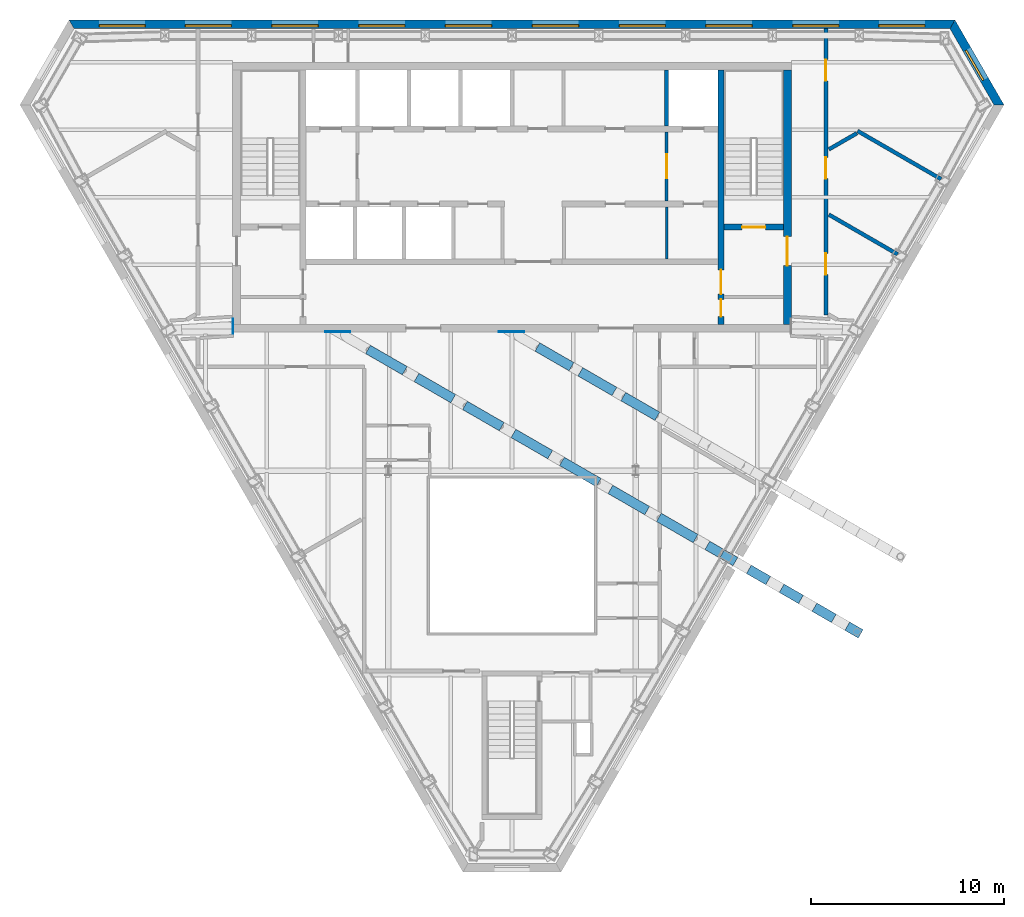
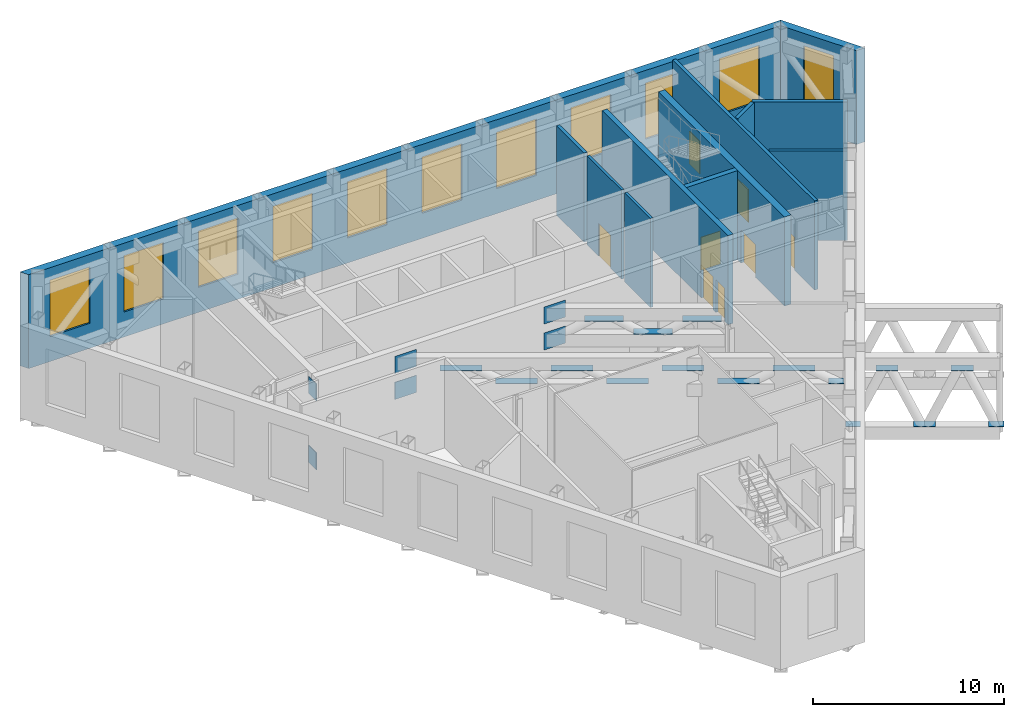
# One storey, part 10 of 14: 22 discrete accessories, 12 walls, 11 shading devices, 8 doors, 19 openings.
"""IFC4 building model written with IfcOpenShell, lengths in metres."""

import ifcopenshell
import ifcopenshell.guid

model = None  # the IFC model being written
_history = None  # IfcOwnerHistory: only IFC2X3 demands one
_inside = {}  # id of a spatial element -> (the spatial element, [elements in it])
_under = {}  # id of a project, library or spatial element -> (it, [spatial elements below it])
_declared = {}  # id of a project -> (the project, [libraries it declares])
_typed = {}  # id of a type object -> (the type object, [elements of that type])
_made_of = {}  # id of a material, layer set ... -> (it, [elements and type objects made of it])


def new_model(schema):
    """Start an empty IFC model of exactly this schema.

    Asked for "IFC4X3", IfcOpenShell would pick the latest addendum, in which some entities
    have other attributes; the version numbers below select the first issue.
    IFC2X3 requires an IfcOwnerHistory on every rooted entity: one is made here for all.
    """
    global model, _history
    if schema == "IFC4X3":
        model = ifcopenshell.file(schema_version=(4, 3, 0, 0))
    else:
        model = ifcopenshell.file(schema=schema)
    _inside.clear()
    _under.clear()
    _declared.clear()
    _typed.clear()
    _made_of.clear()
    _history = None
    if model.schema == "IFC2X3":
        org = make("IfcOrganization", Name="unknown")
        user = make(
            "IfcPersonAndOrganization",
            ThePerson=make("IfcPerson", FamilyName="unknown"),
            TheOrganization=org,
        )
        app = make(
            "IfcApplication",
            ApplicationDeveloper=org,
            Version="unknown",
            ApplicationFullName="unknown",
            ApplicationIdentifier="unknown",
        )
        _history = make(
            "IfcOwnerHistory",
            OwningUser=user,
            OwningApplication=app,
            ChangeAction="ADDED",
            CreationDate=0,
        )
    return model


def make(cls, **values):
    """One entity of the class cls with the attributes given. An attribute that is None is left unset."""
    return model.create_entity(
        cls, **{name: value for name, value in values.items() if value is not None}
    )


def rooted(cls, **values):
    """An entity with a GlobalId (a new one), such as an element, a storey or a relation."""
    return make(cls, GlobalId=ifcopenshell.guid.new(), OwnerHistory=_history, **values)


def si_unit(unit_type, name, prefix=None):
    """IfcSIUnit, for example si_unit("LENGTHUNIT", "METRE", prefix="MILLI")."""
    return make("IfcSIUnit", UnitType=unit_type, Prefix=prefix, Name=name)


def assignment(units):
    """IfcUnitAssignment: the units of a project."""
    return None if units is None else make("IfcUnitAssignment", Units=units)


def point(xyz):
    """IfcCartesianPoint."""
    return None if xyz is None else make("IfcCartesianPoint", Coordinates=xyz)


def direction(xyz):
    """IfcDirection."""
    return None if xyz is None else make("IfcDirection", DirectionRatios=xyz)


def frame(location, z_axis=None, x_axis=None):
    """IfcAxis2Placement3D, a coordinate frame: its origin and axes. An axis left out is left unset."""
    return make(
        "IfcAxis2Placement3D",
        Location=point(location),
        Axis=direction(z_axis),
        RefDirection=direction(x_axis),
    )


def frame_2d(location, x_axis=None):
    """IfcAxis2Placement2D, a coordinate frame in the plane: its origin and x axis."""
    return make(
        "IfcAxis2Placement2D", Location=point(location), RefDirection=direction(x_axis)
    )


def origin():
    """The frame at (0, 0, 0) with its axes left unset."""
    return frame((0.0, 0.0, 0.0))


def place(relative_to, where):
    """IfcLocalPlacement: puts the frame where relative to a parent placement (None: the world)."""
    return make(
        "IfcLocalPlacement", PlacementRelTo=relative_to, RelativePlacement=where
    )


def context(
    kind, dimensions, precision=None, world=None, true_north=None, identifier=None
):
    """IfcGeometricRepresentationContext, for example the 3D "Model" context."""
    return make(
        "IfcGeometricRepresentationContext",
        ContextIdentifier=identifier,
        ContextType=kind,
        CoordinateSpaceDimension=dimensions,
        Precision=precision,
        WorldCoordinateSystem=world,
        TrueNorth=true_north,
    )


def subcontext(parent, identifier, kind, view, scale=None):
    """IfcGeometricRepresentationSubContext, for example "Body" below "Model"."""
    return make(
        "IfcGeometricRepresentationSubContext",
        ContextIdentifier=identifier,
        ContextType=kind,
        ParentContext=parent,
        TargetScale=scale,
        TargetView=view,
    )


def project(units=None, contexts=None):
    """IfcProject with its units and contexts."""
    return rooted(
        "IfcProject",
        Name="project",
        RepresentationContexts=contexts,
        UnitsInContext=assignment(units),
    )


def spatial(cls, under=None, at=None, **own):
    """A site, building, storey or space (cls), placed at a placement, below another one or the project."""
    s = rooted(cls, ObjectPlacement=at, **own)
    if under is not None:
        _under.setdefault(under.id(), (under, []))[1].append(s)
    return s


def polyline(points):
    """IfcPolyline through the points."""
    return make("IfcPolyline", Points=[point(p) for p in points])


def profile(cls, at=None, kind="AREA", **sizes):
    """A parametric profile (cls). Its sizes go by their IFC names, for example OverallWidth=200.0."""
    return make(cls, ProfileType=kind, Position=at, **sizes)


def rectangle(**sizes):
    """IfcRectangleProfileDef."""
    return profile("IfcRectangleProfileDef", **sizes)


def outline(outer, holes=None, kind="AREA"):
    """IfcArbitraryClosedProfileDef: a profile drawn as a closed curve; with holes, ...WithVoids."""
    if holes is None:
        return make("IfcArbitraryClosedProfileDef", ProfileType=kind, OuterCurve=outer)
    return make(
        "IfcArbitraryProfileDefWithVoids",
        ProfileType=kind,
        OuterCurve=outer,
        InnerCurves=holes,
    )


def extrude(swept, where, along, depth):
    """IfcExtrudedAreaSolid: the profile swept, set in the frame where, extruded along a direction by depth."""
    return make(
        "IfcExtrudedAreaSolid",
        SweptArea=swept,
        Position=where,
        ExtrudedDirection=direction(along),
        Depth=depth,
    )


def shape(context_of_items, identifier, shape_type, items):
    """IfcShapeRepresentation: the items that make up one representation, for example the "Body"."""
    return make(
        "IfcShapeRepresentation",
        ContextOfItems=context_of_items,
        RepresentationIdentifier=identifier,
        RepresentationType=shape_type,
        Items=items,
    )


def material(Name=None, Category=None):
    """IfcMaterial."""
    return make("IfcMaterial", Name=Name, Category=Category)


def layer(
    of_material, thickness, ventilated=None, Name=None, Category=None, Priority=None
):
    """IfcMaterialLayer: one layer of a wall or slab, of a material (None: an air gap)."""
    return make(
        "IfcMaterialLayer",
        Material=of_material,
        LayerThickness=thickness,
        IsVentilated=ventilated,
        Name=Name,
        Category=Category,
        Priority=Priority,
    )


def layer_set(layers, Name=None):
    """IfcMaterialLayerSet."""
    return make("IfcMaterialLayerSet", MaterialLayers=layers, LayerSetName=Name)


def made_of(thing, what):
    """Note that an element or type object is made of a material, layer set ...; save() writes the relation."""
    if what is not None:
        _made_of.setdefault(what.id(), (what, []))[1].append(thing)
    return thing


def type_object(cls, material=None, **own):
    """A type object (cls), such as IfcWallType, which elements share."""
    return made_of(rooted(cls, **own), material)


def element(
    cls,
    number,
    at=None,
    inside=None,
    cuts=None,
    type_object=None,
    material=None,
    context=None,
    identifier="Body",
    shape_type=None,
    held_by="IfcProductDefinitionShape",
    body=None,
    shapes=None,
    **own,
):
    """One element of the class cls, such as IfcWall. Its Tag is "e" and its number.

    at: its placement. inside: the storey or other place that contains it. cuts: it is an
    opening in that element (IfcRelVoidsElement). A single representation is given by context,
    identifier, shape_type and body (its items); several are given by shapes. held_by: the class
    of the entity that holds the representations. save() writes the other relations.
    """
    e = rooted(cls, Tag="e%d" % number, ObjectPlacement=at, **own)
    if body is not None:
        shapes = [shape(context, identifier, shape_type, body)]
    if shapes is not None:
        e.Representation = make(held_by, Representations=shapes)
    if inside is not None:
        _inside.setdefault(inside.id(), (inside, []))[1].append(e)
    if cuts is not None:
        rooted(
            "IfcRelVoidsElement", RelatingBuildingElement=cuts, RelatedOpeningElement=e
        )
    if type_object is not None:
        _typed.setdefault(type_object.id(), (type_object, []))[1].append(e)
    return made_of(e, material)


def fill(opening, filler):
    """IfcRelFillsElement: the door or window that sits in an opening."""
    return rooted(
        "IfcRelFillsElement",
        RelatingOpeningElement=opening,
        RelatedBuildingElement=filler,
    )


def aggregate(whole, parts):
    """IfcRelAggregates: a whole, such as a stair, and the parts it consists of."""
    return rooted("IfcRelAggregates", RelatingObject=whole, RelatedObjects=parts)


def save(model, path):
    """Write the relations noted so far, then the file.

    IfcRelAggregates (storeys below a building ...), IfcRelContainedInSpatialStructure (elements
    in a storey), IfcRelDefinesByType, IfcRelAssociatesMaterial and IfcRelDeclares: one each for
    every whole, place, type object, material and project.
    """
    for whole, parts in _under.values():
        aggregate(whole, parts)
    for where, things in _inside.values():
        rooted(
            "IfcRelContainedInSpatialStructure",
            RelatedElements=things,
            RelatingStructure=where,
        )
    for kind, things in _typed.values():
        rooted("IfcRelDefinesByType", RelatedObjects=things, RelatingType=kind)
    for what, things in _made_of.values():
        rooted("IfcRelAssociatesMaterial", RelatedObjects=things, RelatingMaterial=what)
    for by, libraries in _declared.values():
        rooted("IfcRelDeclares", RelatingContext=by, RelatedDefinitions=libraries)
    model.write(path)


model = new_model("IFC4")

# Units and contexts
model_context = context("Model", 3, precision=1e-05, world=origin(), true_north=direction((0.0, 1.0)))
body_context = subcontext(model_context, "Body", "Model", "MODEL_VIEW")
ifc_project = project(units=[si_unit("LENGTHUNIT", "METRE"), si_unit("AREAUNIT", "SQUARE_METRE"), si_unit("VOLUMEUNIT", "CUBIC_METRE"), si_unit("PLANEANGLEUNIT", "RADIAN"), si_unit("MASSUNIT", "GRAM", prefix="KILO")], contexts=[model_context])

# Site, building, storey
site_placement = place(None, origin())
site = spatial("IfcSite", under=ifc_project, at=site_placement, CompositionType="ELEMENT")
building_placement = place(site_placement, origin())
building = spatial("IfcBuilding", under=site, at=building_placement, Name="Njiva Tower", CompositionType="ELEMENT")
storey_placement = place(building_placement, frame((0.0, 0.0, 292.2)))
storey = spatial("IfcBuildingStorey", under=building, at=storey_placement, Name="L67", CompositionType="ELEMENT", Elevation=292.2)

# Wall
ifc_material_1 = material(Name="Blockwork", Category="masonry")
ifc_layer_1 = layer(ifc_material_1, 0.15)
ifc_layer_set_1 = layer_set([ifc_layer_1], Name="Blockwork")
wall_type_1 = type_object("IfcWallType", Name="WT1 Compartment partition 150", PredefinedType="PARTITIONING", material=ifc_layer_set_1)
wall_1_placement = place(storey_placement, frame((8.0333, 7.8, 0.0), z_axis=(0.0, 0.0, 1.0), x_axis=(0.0, 1.0, 0.0)))
element("IfcWall", 1, at=wall_1_placement, inside=storey, type_object=wall_type_1, Name="Partition CS7", PredefinedType="PARTITIONING", context=body_context, shape_type="SweptSolid", body=[
    extrude(rectangle(XDim=2.7, YDim=0.15, at=frame_2d((1.35, 0.0))), origin(), (0.0, 0.0, 1.0), 5.7),
])

# Wall, openings, doors
ifc_material_2 = material(Name="Concrete C40/50", Category="concrete")
ifc_layer_2 = layer(ifc_material_2, 0.3)
ifc_layer_set_2 = layer_set([ifc_layer_2], Name="Concrete C40/50")
wall_type_2 = type_object("IfcWallType", Name="WT10 Stair enclosure wall 300", PredefinedType="SHEAR", material=ifc_layer_set_2)
wall_2_placement = place(storey_placement, frame((10.85, 4.4, 0.0), z_axis=(0.0, 0.0, 1.0), x_axis=(0.0, 1.0, 0.0)))
wall_2 = element("IfcWall", 2, at=wall_2_placement, inside=storey, type_object=wall_type_2, Name="Stair wall east inner", PredefinedType="SHEAR", context=body_context, shape_type="SweptSolid", body=[
    extrude(rectangle(XDim=13.2, YDim=0.3, at=frame_2d((6.6, 0.0))), origin(), (0.0, 0.0, 1.0), 5.7),
])
opening_1_placement = place(wall_2_placement, frame((1.575, 0.0, 0.0)))
opening_1 = element("IfcOpeningElement", 3, at=opening_1_placement, cuts=wall_2, Name="Opening T5-D921", PredefinedType="OPENING", context=body_context, shape_type="SweptSolid", body=[
    extrude(rectangle(XDim=1.25, YDim=2.1, at=frame_2d((0.625, 1.05))), frame((0.0, 0.16, 0.0), z_axis=(0.0, -1.0, 0.0), x_axis=(1.0, 0.0, 0.0)), (0.0, 0.0, 1.0), 0.32),
])
opening_2_placement = place(wall_2_placement, frame((0.4, 0.0, 0.0)))
opening_2 = element("IfcOpeningElement", 4, at=opening_2_placement, cuts=wall_2, Name="Opening T5-D923", PredefinedType="OPENING", context=body_context, shape_type="SweptSolid", body=[
    extrude(rectangle(XDim=0.9, YDim=2.1, at=frame_2d((0.45, 1.05))), frame((0.0, 0.16, 0.0), z_axis=(0.0, -1.0, 0.0), x_axis=(1.0, 0.0, 0.0)), (0.0, 0.0, 1.0), 0.32),
])
ifc_material_3 = material(Name="Steel door, painted", Category="steel")
door_type_1 = type_object("IfcDoorType", Name="D13 Steel door 900x2100", OperationType="SINGLE_SWING_LEFT", PredefinedType="DOOR", material=ifc_material_3)
door_1_placement = place(opening_2_placement, origin())
door_1 = element("IfcDoor", 5, at=door_1_placement, inside=storey, type_object=door_type_1, Name="Plant room door", OperationType="SINGLE_SWING_LEFT", OverallHeight=2.1, OverallWidth=0.9, PredefinedType="DOOR", context=body_context, shape_type="SweptSolid", body=[
    extrude(rectangle(XDim=0.9, YDim=2.1, at=frame_2d((0.45, 1.05))), frame((0.0, 0.025, 0.0), z_axis=(0.0, -1.0, 0.0), x_axis=(1.0, 0.0, 0.0)), (0.0, 0.0, 1.0), 0.05),
])
fill(opening_2, door_1)
ifc_material_4 = material(Name="Glazed steel fire door", Category="steel")
door_type_2 = type_object("IfcDoorType", Name="D8 Vestibule corridor door 1250x2100 glazed", OperationType="SINGLE_SWING_LEFT", PredefinedType="DOOR", material=ifc_material_4)
door_2_placement = place(opening_1_placement, origin())
door_2 = element("IfcDoor", 6, at=door_2_placement, inside=storey, type_object=door_type_2, Name="Stair vestibule corridor door", OperationType="SINGLE_SWING_RIGHT", OverallHeight=2.1, OverallWidth=1.25, PredefinedType="DOOR", context=body_context, shape_type="SweptSolid", body=[
    extrude(rectangle(XDim=1.25, YDim=2.1, at=frame_2d((0.625, 1.05))), frame((0.0, 0.025, 0.0), z_axis=(0.0, -1.0, 0.0), x_axis=(1.0, 0.0, 0.0)), (0.0, 0.0, 1.0), 0.05),
])
fill(opening_1, door_2)

# Wall, opening, door
wall_3_placement = place(storey_placement, frame((11.0, 9.45, 0.0), z_axis=(0.0, 0.0, 1.0), x_axis=(1.0, 0.0, 0.0)))
wall_3 = element("IfcWall", 7, at=wall_3_placement, inside=storey, type_object=wall_type_2, Name="Stair B south wall", PredefinedType="SHEAR", context=body_context, shape_type="SweptSolid", body=[
    extrude(rectangle(XDim=3.1, YDim=0.3, at=frame_2d((1.55, 0.0))), origin(), (0.0, 0.0, 1.0), 5.7),
])
opening_3_placement = place(wall_3_placement, frame((0.95, 0.0, 0.0)))
opening_3 = element("IfcOpeningElement", 8, at=opening_3_placement, cuts=wall_3, Name="Opening T5-D920", PredefinedType="OPENING", context=body_context, shape_type="SweptSolid", body=[
    extrude(rectangle(XDim=1.2, YDim=2.1, at=frame_2d((0.6, 1.05))), frame((0.0, 0.16, 0.0), z_axis=(0.0, -1.0, 0.0), x_axis=(1.0, 0.0, 0.0)), (0.0, 0.0, 1.0), 0.32),
])
door_type_3 = type_object("IfcDoorType", Name="D7 Stair vestibule door 1200x2100 glazed", OperationType="SINGLE_SWING_LEFT", PredefinedType="DOOR", material=ifc_material_4)
door_3_placement = place(opening_3_placement, origin())
door_3 = element("IfcDoor", 9, at=door_3_placement, inside=storey, type_object=door_type_3, Name="Stair B door", OperationType="SINGLE_SWING_LEFT", OverallHeight=2.1, OverallWidth=1.2, PredefinedType="DOOR", context=body_context, shape_type="SweptSolid", body=[
    extrude(rectangle(XDim=1.2, YDim=2.1, at=frame_2d((0.6, 1.05))), frame((0.0, 0.025, 0.0), z_axis=(0.0, -1.0, 0.0), x_axis=(1.0, 0.0, 0.0)), (0.0, 0.0, 1.0), 0.05),
])
fill(opening_3, door_3)

ifc_material_5 = material(Name="Concrete C60/75", Category="concrete")
ifc_layer_3 = layer(ifc_material_5, 0.4)
ifc_layer_set_3 = layer_set([ifc_layer_3], Name="Concrete C60/75")
wall_type_3 = type_object("IfcWallType", Name="WT11 Core wall 400", PredefinedType="SHEAR", material=ifc_layer_set_3)
wall_4_placement = place(storey_placement, frame((14.3, 4.4, 0.0), z_axis=(0.0, 0.0, 1.0), x_axis=(0.0, 1.0, 0.0)))
wall_4 = element("IfcWall", 10, at=wall_4_placement, inside=storey, type_object=wall_type_3, Name="Core wall east", PredefinedType="SHEAR", context=body_context, shape_type="SweptSolid", body=[
    extrude(rectangle(XDim=13.2, YDim=0.4, at=frame_2d((6.6, 0.0))), origin(), (0.0, 0.0, 1.0), 5.7),
])
opening_4_placement = place(wall_4_placement, frame((3.05, 0.0, 0.0)))
opening_4 = element("IfcOpeningElement", 11, at=opening_4_placement, cuts=wall_4, Name="Opening T5-D922", PredefinedType="OPENING", context=body_context, shape_type="SweptSolid", body=[
    extrude(rectangle(XDim=1.5, YDim=2.1, at=frame_2d((0.75, 1.05))), frame((0.0, 0.21, 0.0), z_axis=(0.0, -1.0, 0.0), x_axis=(1.0, 0.0, 0.0)), (0.0, 0.0, 1.0), 0.42),
])
door_type_4 = type_object("IfcDoorType", Name="D10 Exit door double 1500x2100 glazed", OperationType="DOUBLE_DOOR_SINGLE_SWING", PredefinedType="DOOR", material=ifc_material_4)
door_4_placement = place(opening_4_placement, origin())
door_4 = element("IfcDoor", 12, at=door_4_placement, inside=storey, type_object=door_type_4, Name="Stair B corridor door", OperationType="DOUBLE_DOOR_SINGLE_SWING", OverallHeight=2.1, OverallWidth=1.5, PredefinedType="DOOR", context=body_context, shape_type="SweptSolid", body=[
    extrude(rectangle(XDim=1.5, YDim=2.1, at=frame_2d((0.75, 1.05))), frame((0.0, 0.025, 0.0), z_axis=(0.0, -1.0, 0.0), x_axis=(1.0, 0.0, 0.0)), (0.0, 0.0, 1.0), 0.05),
])
fill(opening_4, door_4)

ifc_layer_4 = layer(ifc_material_1, 0.15)
ifc_layer_set_4 = layer_set([ifc_layer_4], Name="Blockwork")
wall_type_4 = type_object("IfcWallType", Name="WT2 Lobby partition 150", PredefinedType="PARTITIONING", material=ifc_layer_set_4)
wall_5_placement = place(storey_placement, frame((8.025, 10.8, 0.0), z_axis=(0.0, 0.0, 1.0), x_axis=(0.0, 1.0, 0.0)))
wall_5 = element("IfcWall", 13, at=wall_5_placement, inside=storey, type_object=wall_type_4, Name="Firefighting lobby wall B", PredefinedType="PARTITIONING", context=body_context, shape_type="SweptSolid", body=[
    extrude(rectangle(XDim=3.6, YDim=0.15, at=frame_2d((1.8, 0.0))), origin(), (0.0, 0.0, 1.0), 5.7),
])
opening_5_placement = place(wall_5_placement, frame((1.175, 0.0, 0.0)))
opening_5 = element("IfcOpeningElement", 14, at=opening_5_placement, cuts=wall_5, Name="Opening T5-D919", PredefinedType="OPENING", context=body_context, shape_type="SweptSolid", body=[
    extrude(rectangle(XDim=1.25, YDim=2.1, at=frame_2d((0.625, 1.05))), frame((0.0, 0.085, 0.0), z_axis=(0.0, -1.0, 0.0), x_axis=(1.0, 0.0, 0.0)), (0.0, 0.0, 1.0), 0.17),
])
door_5_placement = place(opening_5_placement, origin())
door_5 = element("IfcDoor", 15, at=door_5_placement, inside=storey, type_object=door_type_2, Name="Stair vestibule corridor door", OperationType="SINGLE_SWING_LEFT", OverallHeight=2.1, OverallWidth=1.25, PredefinedType="DOOR", context=body_context, shape_type="SweptSolid", body=[
    extrude(rectangle(XDim=1.25, YDim=2.1, at=frame_2d((0.625, 1.05))), frame((0.0, 0.025, 0.0), z_axis=(0.0, -1.0, 0.0), x_axis=(1.0, 0.0, 0.0)), (0.0, 0.0, 1.0), 0.05),
])
fill(opening_5, door_5)

# Wall, openings, doors
ifc_layer_5 = layer(ifc_material_1, 0.2)
ifc_layer_set_5 = layer_set([ifc_layer_5], Name="Blockwork")
wall_type_5 = type_object("IfcWallType", Name="WT22 Plant room wall 200", PredefinedType="PARTITIONING", material=ifc_layer_set_5)
wall_6_placement = place(storey_placement, frame((16.3, 4.882, 0.0), z_axis=(0.0, 0.0, 1.0), x_axis=(0.0, 1.0, 0.0)))
wall_6 = element("IfcWall", 16, at=wall_6_placement, inside=storey, type_object=wall_type_5, Name="Partition T5-P036", PredefinedType="PARTITIONING", context=body_context, shape_type="SweptSolid", body=[
    extrude(rectangle(XDim=14.868, YDim=0.2, at=frame_2d((7.434, 0.0))), origin(), (0.0, 0.0, 1.0), 5.7),
])
opening_6_placement = place(wall_6_placement, frame((2.102, 0.0, 0.0)))
opening_6 = element("IfcOpeningElement", 17, at=opening_6_placement, cuts=wall_6, Name="Opening T5-D017", PredefinedType="OPENING", context=body_context, shape_type="SweptSolid", body=[
    extrude(rectangle(XDim=1.1, YDim=2.1, at=frame_2d((0.55, 1.05))), frame((0.0, 0.11, 0.0), z_axis=(0.0, -1.0, 0.0), x_axis=(1.0, 0.0, 0.0)), (0.0, 0.0, 1.0), 0.22),
])
opening_7_placement = place(wall_6_placement, frame((7.089, 0.0, 0.0)))
opening_7 = element("IfcOpeningElement", 18, at=opening_7_placement, cuts=wall_6, Name="Opening T5-D018", PredefinedType="OPENING", context=body_context, shape_type="SweptSolid", body=[
    extrude(rectangle(XDim=1.1, YDim=2.1, at=frame_2d((0.55, 1.05))), frame((0.0, 0.11, 0.0), z_axis=(0.0, -1.0, 0.0), x_axis=(1.0, 0.0, 0.0)), (0.0, 0.0, 1.0), 0.22),
])
opening_8_placement = place(wall_6_placement, frame((12.161, 0.0, 0.0)))
opening_8 = element("IfcOpeningElement", 19, at=opening_8_placement, cuts=wall_6, Name="Opening T5-D019", PredefinedType="OPENING", context=body_context, shape_type="SweptSolid", body=[
    extrude(rectangle(XDim=1.1, YDim=2.1, at=frame_2d((0.55, 1.05))), frame((0.0, 0.11, 0.0), z_axis=(0.0, -1.0, 0.0), x_axis=(1.0, 0.0, 0.0)), (0.0, 0.0, 1.0), 0.22),
])
ifc_material_6 = material(Name="Steel door set", Category="steel")
door_type_5 = type_object("IfcDoorType", Name="D34 Plant door 1100x2100", OperationType="SINGLE_SWING_LEFT", PredefinedType="DOOR", material=ifc_material_6)
door_6_placement = place(opening_6_placement, origin())
door_6 = element("IfcDoor", 20, at=door_6_placement, inside=storey, type_object=door_type_5, Name="Door T5-D017", OperationType="SINGLE_SWING_LEFT", OverallHeight=2.1, OverallWidth=1.1, PredefinedType="DOOR", context=body_context, shape_type="SweptSolid", body=[
    extrude(rectangle(XDim=1.1, YDim=2.1, at=frame_2d((0.55, 1.05))), frame((0.0, 0.025, 0.0), z_axis=(0.0, -1.0, 0.0), x_axis=(1.0, 0.0, 0.0)), (0.0, 0.0, 1.0), 0.05),
])
fill(opening_6, door_6)
door_7_placement = place(opening_7_placement, origin())
door_7 = element("IfcDoor", 21, at=door_7_placement, inside=storey, type_object=door_type_5, Name="Door T5-D018", OperationType="SINGLE_SWING_RIGHT", OverallHeight=2.1, OverallWidth=1.1, PredefinedType="DOOR", context=body_context, shape_type="SweptSolid", body=[
    extrude(rectangle(XDim=1.1, YDim=2.1, at=frame_2d((0.55, 1.05))), frame((0.0, 0.025, 0.0), z_axis=(0.0, -1.0, 0.0), x_axis=(1.0, 0.0, 0.0)), (0.0, 0.0, 1.0), 0.05),
])
fill(opening_7, door_7)
door_8_placement = place(opening_8_placement, origin())
door_8 = element("IfcDoor", 22, at=door_8_placement, inside=storey, type_object=door_type_5, Name="Door T5-D019", OperationType="SINGLE_SWING_RIGHT", OverallHeight=2.1, OverallWidth=1.1, PredefinedType="DOOR", context=body_context, shape_type="SweptSolid", body=[
    extrude(rectangle(XDim=1.1, YDim=2.1, at=frame_2d((0.55, 1.05))), frame((0.0, 0.025, 0.0), z_axis=(0.0, -1.0, 0.0), x_axis=(1.0, 0.0, 0.0)), (0.0, 0.0, 1.0), 0.05),
])
fill(opening_8, door_8)

# Walls
wall_7_placement = place(storey_placement, frame((16.45, 13.484, 0.0), z_axis=(0.0, 0.0, 1.0), x_axis=(0.866225147291, 0.499653874398, 0.0)))
element("IfcWall", 23, at=wall_7_placement, inside=storey, type_object=wall_type_5, Name="Partition T5-P039", PredefinedType="PARTITIONING", context=body_context, shape_type="SweptSolid", body=[
    extrude(rectangle(XDim=1.6832, YDim=0.2, at=frame_2d((0.8416, 0.0))), origin(), (0.0, 0.0, 1.0), 5.7),
])
wall_8_placement = place(storey_placement, frame((16.45, 10.099, 0.0), z_axis=(0.0, 0.0, 1.0), x_axis=(0.866012023309, -0.500023174947, 0.0)))
element("IfcWall", 24, at=wall_8_placement, inside=storey, type_object=wall_type_5, Name="Partition T5-P040", PredefinedType="PARTITIONING", context=body_context, shape_type="SweptSolid", body=[
    extrude(rectangle(XDim=4.1258, YDim=0.2, at=frame_2d((2.0629, 0.0))), origin(), (0.0, 0.0, 1.0), 5.7),
])
wall_9_placement = place(storey_placement, frame((17.939, 14.443, 0.0), z_axis=(0.0, 0.0, 1.0), x_axis=(0.866158991994, -0.499768547017, 0.0)))
element("IfcWall", 25, at=wall_9_placement, inside=storey, type_object=wall_type_5, Name="Partition T5-P042", PredefinedType="PARTITIONING", context=body_context, shape_type="SweptSolid", body=[
    extrude(rectangle(XDim=5.0083, YDim=0.2, at=frame_2d((2.5042, 0.0))), origin(), (0.0, 0.0, 1.0), 5.7),
])
ifc_layer_6 = layer(ifc_material_2, 0.2)
ifc_layer_set_6 = layer_set([ifc_layer_6], Name="Concrete C40/50")
wall_type_6 = type_object("IfcWallType", Name="WT6 Lift shaft wall 200", PredefinedType="SHEAR", material=ifc_layer_set_6)
wall_10_placement = place(storey_placement, frame((8.025, 14.7, 0.0), z_axis=(0.0, 0.0, 1.0), x_axis=(0.0, 1.0, 0.0)))
element("IfcWall", 26, at=wall_10_placement, inside=storey, type_object=wall_type_6, Name="Shaft wall CN7", PredefinedType="SHEAR", context=body_context, shape_type="SweptSolid", body=[
    extrude(rectangle(XDim=2.9, YDim=0.2, at=frame_2d((1.45, 0.0))), origin(), (0.0, 0.0, 1.0), 5.7),
])

# Wall, openings, shading devices
ifc_material_7 = material(Name="Brick masonry, buff", Category="masonry")
ifc_layer_7 = layer(ifc_material_7, 0.45)
ifc_layer_set_7 = layer_set([ifc_layer_7], Name="Brick masonry, buff")
wall_type_7 = type_object("IfcWallType", Name="WT94 Brick pier and spandrel wall 450, buff", PredefinedType="SOLIDWALL", material=ifc_layer_set_7)
wall_11_placement = place(storey_placement, frame((22.8651, 19.975, -0.4), z_axis=(0.0, 0.0, 1.0), x_axis=(-1.0, 0.0, 0.0)))
wall_11 = element("IfcWall", 27, at=wall_11_placement, inside=storey, type_object=wall_type_7, Name="Facade wall N", PredefinedType="SOLIDWALL", context=body_context, shape_type="SweptSolid", body=[
    extrude(outline(polyline([(-0.1299, -0.225), (45.8601, -0.225), (45.6003, 0.225), (0.1299, 0.225), (-0.1299, -0.225)])), origin(), (0.0, 0.0, 1.0), 6.0),
])
opening_9_placement = place(wall_11_placement, frame((1.4237, 0.0, 1.6)))
opening_9 = element("IfcOpeningElement", 28, at=opening_9_placement, cuts=wall_11, Name="Opening T5-LV01", PredefinedType="OPENING", context=body_context, shape_type="SweptSolid", body=[
    extrude(rectangle(XDim=2.4, YDim=3.6, at=frame_2d((1.2, 1.8))), frame((0.0, 0.235, 0.0), z_axis=(0.0, -1.0, 0.0), x_axis=(1.0, 0.0, 0.0)), (0.0, 0.0, 1.0), 0.47),
])
opening_10_placement = place(wall_11_placement, frame((5.8919, 0.0, 1.6)))
opening_10 = element("IfcOpeningElement", 29, at=opening_10_placement, cuts=wall_11, Name="Opening T5-LV02", PredefinedType="OPENING", context=body_context, shape_type="SweptSolid", body=[
    extrude(rectangle(XDim=2.4, YDim=3.6, at=frame_2d((1.2, 1.8))), frame((0.0, 0.235, 0.0), z_axis=(0.0, -1.0, 0.0), x_axis=(1.0, 0.0, 0.0)), (0.0, 0.0, 1.0), 0.47),
])
opening_11_placement = place(wall_11_placement, frame((10.3985, 0.0, 1.6)))
opening_11 = element("IfcOpeningElement", 30, at=opening_11_placement, cuts=wall_11, Name="Opening T5-LV03", PredefinedType="OPENING", context=body_context, shape_type="SweptSolid", body=[
    extrude(rectangle(XDim=2.4, YDim=3.6, at=frame_2d((1.2, 1.8))), frame((0.0, 0.235, 0.0), z_axis=(0.0, -1.0, 0.0), x_axis=(1.0, 0.0, 0.0)), (0.0, 0.0, 1.0), 0.47),
])
opening_12_placement = place(wall_11_placement, frame((14.9052, 0.0, 1.6)))
opening_12 = element("IfcOpeningElement", 31, at=opening_12_placement, cuts=wall_11, Name="Opening T5-LV04", PredefinedType="OPENING", context=body_context, shape_type="SweptSolid", body=[
    extrude(rectangle(XDim=2.4, YDim=3.6, at=frame_2d((1.2, 1.8))), frame((0.0, 0.235, 0.0), z_axis=(0.0, -1.0, 0.0), x_axis=(1.0, 0.0, 0.0)), (0.0, 0.0, 1.0), 0.47),
])
opening_13_placement = place(wall_11_placement, frame((19.4118, 0.0, 1.6)))
opening_13 = element("IfcOpeningElement", 32, at=opening_13_placement, cuts=wall_11, Name="Opening T5-LV05", PredefinedType="OPENING", context=body_context, shape_type="SweptSolid", body=[
    extrude(rectangle(XDim=2.4, YDim=3.6, at=frame_2d((1.2, 1.8))), frame((0.0, 0.235, 0.0), z_axis=(0.0, -1.0, 0.0), x_axis=(1.0, 0.0, 0.0)), (0.0, 0.0, 1.0), 0.47),
])
opening_14_placement = place(wall_11_placement, frame((23.9184, 0.0, 1.6)))
opening_14 = element("IfcOpeningElement", 33, at=opening_14_placement, cuts=wall_11, Name="Opening T5-LV06", PredefinedType="OPENING", context=body_context, shape_type="SweptSolid", body=[
    extrude(rectangle(XDim=2.4, YDim=3.6, at=frame_2d((1.2, 1.8))), frame((0.0, 0.235, 0.0), z_axis=(0.0, -1.0, 0.0), x_axis=(1.0, 0.0, 0.0)), (0.0, 0.0, 1.0), 0.47),
])
opening_15_placement = place(wall_11_placement, frame((28.425, 0.0, 1.6)))
opening_15 = element("IfcOpeningElement", 34, at=opening_15_placement, cuts=wall_11, Name="Opening T5-LV07", PredefinedType="OPENING", context=body_context, shape_type="SweptSolid", body=[
    extrude(rectangle(XDim=2.4, YDim=3.6, at=frame_2d((1.2, 1.8))), frame((0.0, 0.235, 0.0), z_axis=(0.0, -1.0, 0.0), x_axis=(1.0, 0.0, 0.0)), (0.0, 0.0, 1.0), 0.47),
])
opening_16_placement = place(wall_11_placement, frame((32.9316, 0.0, 1.6)))
opening_16 = element("IfcOpeningElement", 35, at=opening_16_placement, cuts=wall_11, Name="Opening T5-LV08", PredefinedType="OPENING", context=body_context, shape_type="SweptSolid", body=[
    extrude(rectangle(XDim=2.4, YDim=3.6, at=frame_2d((1.2, 1.8))), frame((0.0, 0.235, 0.0), z_axis=(0.0, -1.0, 0.0), x_axis=(1.0, 0.0, 0.0)), (0.0, 0.0, 1.0), 0.47),
])
opening_17_placement = place(wall_11_placement, frame((37.4383, 0.0, 1.6)))
opening_17 = element("IfcOpeningElement", 36, at=opening_17_placement, cuts=wall_11, Name="Opening T5-LV09", PredefinedType="OPENING", context=body_context, shape_type="SweptSolid", body=[
    extrude(rectangle(XDim=2.4, YDim=3.6, at=frame_2d((1.2, 1.8))), frame((0.0, 0.235, 0.0), z_axis=(0.0, -1.0, 0.0), x_axis=(1.0, 0.0, 0.0)), (0.0, 0.0, 1.0), 0.47),
])
opening_18_placement = place(wall_11_placement, frame((41.9065, 0.0, 1.6)))
opening_18 = element("IfcOpeningElement", 37, at=opening_18_placement, cuts=wall_11, Name="Opening T5-LV10", PredefinedType="OPENING", context=body_context, shape_type="SweptSolid", body=[
    extrude(rectangle(XDim=2.4, YDim=3.6, at=frame_2d((1.2, 1.8))), frame((0.0, 0.235, 0.0), z_axis=(0.0, -1.0, 0.0), x_axis=(1.0, 0.0, 0.0)), (0.0, 0.0, 1.0), 0.47),
])
ifc_material_8 = material(Name="Aluminium louvre blades", Category="aluminium")
shading_device_type_1 = type_object("IfcShadingDeviceType", Name="LV1 Plant louvre 2400x3600", PredefinedType="JALOUSIE", material=ifc_material_8)
shading_device_1_placement = place(opening_9_placement, origin())
shading_device_1 = element("IfcShadingDevice", 38, at=shading_device_1_placement, inside=storey, type_object=shading_device_type_1, Name="Plant louvre", PredefinedType="JALOUSIE", context=body_context, shape_type="SweptSolid", body=[
    extrude(rectangle(XDim=2.4, YDim=3.6, at=frame_2d((1.2, 1.8))), frame((0.0, 0.125, 0.0), z_axis=(0.0, -1.0, 0.0), x_axis=(1.0, 0.0, 0.0)), (0.0, 0.0, 1.0), 0.1),
])
fill(opening_9, shading_device_1)
shading_device_2_placement = place(opening_10_placement, origin())
shading_device_2 = element("IfcShadingDevice", 39, at=shading_device_2_placement, inside=storey, type_object=shading_device_type_1, Name="Plant louvre", PredefinedType="JALOUSIE", context=body_context, shape_type="SweptSolid", body=[
    extrude(rectangle(XDim=2.4, YDim=3.6, at=frame_2d((1.2, 1.8))), frame((0.0, 0.125, 0.0), z_axis=(0.0, -1.0, 0.0), x_axis=(1.0, 0.0, 0.0)), (0.0, 0.0, 1.0), 0.1),
])
fill(opening_10, shading_device_2)
shading_device_3_placement = place(opening_11_placement, origin())
shading_device_3 = element("IfcShadingDevice", 40, at=shading_device_3_placement, inside=storey, type_object=shading_device_type_1, Name="Plant louvre", PredefinedType="JALOUSIE", context=body_context, shape_type="SweptSolid", body=[
    extrude(rectangle(XDim=2.4, YDim=3.6, at=frame_2d((1.2, 1.8))), frame((0.0, 0.125, 0.0), z_axis=(0.0, -1.0, 0.0), x_axis=(1.0, 0.0, 0.0)), (0.0, 0.0, 1.0), 0.1),
])
fill(opening_11, shading_device_3)
shading_device_4_placement = place(opening_12_placement, origin())
shading_device_4 = element("IfcShadingDevice", 41, at=shading_device_4_placement, inside=storey, type_object=shading_device_type_1, Name="Plant louvre", PredefinedType="JALOUSIE", context=body_context, shape_type="SweptSolid", body=[
    extrude(rectangle(XDim=2.4, YDim=3.6, at=frame_2d((1.2, 1.8))), frame((0.0, 0.125, 0.0), z_axis=(0.0, -1.0, 0.0), x_axis=(1.0, 0.0, 0.0)), (0.0, 0.0, 1.0), 0.1),
])
fill(opening_12, shading_device_4)
shading_device_5_placement = place(opening_13_placement, origin())
shading_device_5 = element("IfcShadingDevice", 42, at=shading_device_5_placement, inside=storey, type_object=shading_device_type_1, Name="Plant louvre", PredefinedType="JALOUSIE", context=body_context, shape_type="SweptSolid", body=[
    extrude(rectangle(XDim=2.4, YDim=3.6, at=frame_2d((1.2, 1.8))), frame((0.0, 0.125, 0.0), z_axis=(0.0, -1.0, 0.0), x_axis=(1.0, 0.0, 0.0)), (0.0, 0.0, 1.0), 0.1),
])
fill(opening_13, shading_device_5)
shading_device_6_placement = place(opening_14_placement, origin())
shading_device_6 = element("IfcShadingDevice", 43, at=shading_device_6_placement, inside=storey, type_object=shading_device_type_1, Name="Plant louvre", PredefinedType="JALOUSIE", context=body_context, shape_type="SweptSolid", body=[
    extrude(rectangle(XDim=2.4, YDim=3.6, at=frame_2d((1.2, 1.8))), frame((0.0, 0.125, 0.0), z_axis=(0.0, -1.0, 0.0), x_axis=(1.0, 0.0, 0.0)), (0.0, 0.0, 1.0), 0.1),
])
fill(opening_14, shading_device_6)
shading_device_7_placement = place(opening_15_placement, origin())
shading_device_7 = element("IfcShadingDevice", 44, at=shading_device_7_placement, inside=storey, type_object=shading_device_type_1, Name="Plant louvre", PredefinedType="JALOUSIE", context=body_context, shape_type="SweptSolid", body=[
    extrude(rectangle(XDim=2.4, YDim=3.6, at=frame_2d((1.2, 1.8))), frame((0.0, 0.125, 0.0), z_axis=(0.0, -1.0, 0.0), x_axis=(1.0, 0.0, 0.0)), (0.0, 0.0, 1.0), 0.1),
])
fill(opening_15, shading_device_7)
shading_device_8_placement = place(opening_16_placement, origin())
shading_device_8 = element("IfcShadingDevice", 45, at=shading_device_8_placement, inside=storey, type_object=shading_device_type_1, Name="Plant louvre", PredefinedType="JALOUSIE", context=body_context, shape_type="SweptSolid", body=[
    extrude(rectangle(XDim=2.4, YDim=3.6, at=frame_2d((1.2, 1.8))), frame((0.0, 0.125, 0.0), z_axis=(0.0, -1.0, 0.0), x_axis=(1.0, 0.0, 0.0)), (0.0, 0.0, 1.0), 0.1),
])
fill(opening_16, shading_device_8)
shading_device_9_placement = place(opening_17_placement, origin())
shading_device_9 = element("IfcShadingDevice", 46, at=shading_device_9_placement, inside=storey, type_object=shading_device_type_1, Name="Plant louvre", PredefinedType="JALOUSIE", context=body_context, shape_type="SweptSolid", body=[
    extrude(rectangle(XDim=2.4, YDim=3.6, at=frame_2d((1.2, 1.8))), frame((0.0, 0.125, 0.0), z_axis=(0.0, -1.0, 0.0), x_axis=(1.0, 0.0, 0.0)), (0.0, 0.0, 1.0), 0.1),
])
fill(opening_17, shading_device_9)
shading_device_10_placement = place(opening_18_placement, origin())
shading_device_10 = element("IfcShadingDevice", 47, at=shading_device_10_placement, inside=storey, type_object=shading_device_type_1, Name="Plant louvre", PredefinedType="JALOUSIE", context=body_context, shape_type="SweptSolid", body=[
    extrude(rectangle(XDim=2.4, YDim=3.6, at=frame_2d((1.2, 1.8))), frame((0.0, 0.125, 0.0), z_axis=(0.0, -1.0, 0.0), x_axis=(1.0, 0.0, 0.0)), (0.0, 0.0, 1.0), 0.1),
])
fill(opening_18, shading_device_10)

# Wall, opening, shading device
wall_12_placement = place(storey_placement, frame((25.2839, 15.7941, -0.4), z_axis=(0.0, 0.0, 1.0), x_axis=(-0.499997839997, 0.866026650859, 0.0)))
wall_12 = element("IfcWall", 48, at=wall_12_placement, inside=storey, type_object=wall_type_7, Name="Facade wall NE", PredefinedType="SOLIDWALL", context=body_context, shape_type="SweptSolid", body=[
    extrude(outline(polyline([(-0.1299, -0.225), (4.9601, -0.225), (4.7003, 0.225), (0.1299, 0.225), (-0.1299, -0.225)])), origin(), (0.0, 0.0, 1.0), 6.0),
])
opening_19_placement = place(wall_12_placement, frame((1.5151, 0.0, 1.6)))
opening_19 = element("IfcOpeningElement", 49, at=opening_19_placement, cuts=wall_12, Name="Opening T5-LV33", PredefinedType="OPENING", context=body_context, shape_type="SweptSolid", body=[
    extrude(rectangle(XDim=1.8, YDim=3.6, at=frame_2d((0.9, 1.8))), frame((0.0, 0.235, 0.0), z_axis=(0.0, -1.0, 0.0), x_axis=(1.0, 0.0, 0.0)), (0.0, 0.0, 1.0), 0.47),
])
shading_device_type_2 = type_object("IfcShadingDeviceType", Name="LV2 Plant louvre 1800x3600", PredefinedType="JALOUSIE", material=ifc_material_8)
shading_device_11_placement = place(opening_19_placement, origin())
shading_device_11 = element("IfcShadingDevice", 50, at=shading_device_11_placement, inside=storey, type_object=shading_device_type_2, Name="Plant louvre", PredefinedType="JALOUSIE", context=body_context, shape_type="SweptSolid", body=[
    extrude(rectangle(XDim=1.8, YDim=3.6, at=frame_2d((0.9, 1.8))), frame((0.0, 0.125, 0.0), z_axis=(0.0, -1.0, 0.0), x_axis=(1.0, 0.0, 0.0)), (0.0, 0.0, 1.0), 0.1),
])
fill(opening_19, shading_device_11)

# Discrete accessories
ifc_material_9 = material(Name="Steel S355 J2", Category="steel")
ifc_layer_8 = layer(ifc_material_9, 0.04)
ifc_layer_set_8 = layer_set([ifc_layer_8], Name="Steel S355 J2")
discrete_accessory_type_1 = type_object("IfcDiscreteAccessoryType", Name="AP1 Cast-in anchor plate 40", PredefinedType="ANCHORPLATE", material=ifc_layer_set_8)
for number, where, name in (
    (51, (-14.48, 4.3, -0.15), "Cast-in anchor plate T5-AP01"),
    (52, (-14.48, 4.3, 4.26), "Cast-in anchor plate T5-AP02"),
):
    element("IfcDiscreteAccessory", number, at=place(storey_placement, frame(where)), inside=storey, type_object=discrete_accessory_type_1, Name=name, PredefinedType="ANCHORPLATE", context=body_context, shape_type="SweptSolid", body=[
        extrude(outline(polyline([(-0.02, -0.4), (0.02, -0.4), (0.02, 0.4), (-0.02, 0.4), (-0.02, -0.4)])), origin(), (0.0, 0.0, 1.0), 1.1),
    ])
ifc_layer_9 = layer(ifc_material_9, 0.03)
ifc_layer_set_9 = layer_set([ifc_layer_9], Name="Steel S355 J2")
discrete_accessory_type_2 = type_object("IfcDiscreteAccessoryType", Name="AP2 Cast-in anchor plate 30", PredefinedType="ANCHORPLATE", material=ifc_layer_set_9)
for number, where, name in (
    (53, (-9.039, 4.015, 2.6), "Cast-in anchor plate T5-AP05"),
    (54, (-9.039, 4.015, 4.26), "Cast-in anchor plate T5-AP06"),
    (55, (-0.0258, 4.015, 2.6), "Cast-in anchor plate T5-AP07"),
    (56, (-0.0258, 4.015, 4.26), "Cast-in anchor plate T5-AP08"),
):
    element("IfcDiscreteAccessory", number, at=place(storey_placement, frame(where)), inside=storey, type_object=discrete_accessory_type_2, Name=name, PredefinedType="ANCHORPLATE", context=body_context, shape_type="SweptSolid", body=[
        extrude(outline(polyline([(0.65, -0.015), (0.65, 0.015), (-0.65, 0.015), (-0.65, -0.015), (0.65, -0.015)])), origin(), (0.0, 0.0, 1.0), 1.1),
    ])
ifc_layer_10 = layer(ifc_material_9, 0.03)
ifc_layer_set_10 = layer_set([ifc_layer_10], Name="Steel S355 J2")
discrete_accessory_type_3 = type_object("IfcDiscreteAccessoryType", Name="GP1 Truss node gusset plate 30", PredefinedType="USERDEFINED", material=ifc_layer_set_10)
for number, where, name in (
    (57, (-6.5221, 2.5469, 4.38), "Truss node gusset plate T5-GP02"),
    (58, (-4.0051, 1.0938, 3.55), "Truss node gusset plate T5-GP03"),
):
    element("IfcDiscreteAccessory", number, at=place(storey_placement, frame(where)), inside=storey, type_object=discrete_accessory_type_3, Name=name, ObjectType="GUSSET PLATE", PredefinedType="USERDEFINED", context=body_context, shape_type="SweptSolid", body=[
        extrude(outline(polyline([(-1.0779, 0.3336), (0.8279, -0.7667), (1.0779, -0.3337), (-0.8279, 0.7666), (-1.0779, 0.3336)])), origin(), (0.0, 0.0, 1.0), 0.03),
    ])
for number, where, name in (
    (59, (-1.4882, -0.3595, 4.38), "Truss node gusset plate T5-GP04"),
    (60, (1.0287, -1.8126, 3.55), "Truss node gusset plate T5-GP05"),
):
    element("IfcDiscreteAccessory", number, at=place(storey_placement, frame(where)), inside=storey, type_object=discrete_accessory_type_3, Name=name, ObjectType="GUSSET PLATE", PredefinedType="USERDEFINED", context=body_context, shape_type="SweptSolid", body=[
        extrude(outline(polyline([(-1.0779, 0.3337), (0.8279, -0.7666), (1.0779, -0.3336), (-0.8279, 0.7667), (-1.0779, 0.3337)])), origin(), (0.0, 0.0, 1.0), 0.03),
    ])
discrete_accessory_1_placement = place(storey_placement, frame((2.2035, 2.713, 4.38)))
element("IfcDiscreteAccessory", 61, at=discrete_accessory_1_placement, inside=storey, type_object=discrete_accessory_type_3, Name="Truss node gusset plate T5-GP06", ObjectType="GUSSET PLATE", PredefinedType="USERDEFINED", context=body_context, shape_type="SweptSolid", body=[
    extrude(outline(polyline([(-1.0086, 0.2936), (0.7585, -0.7267), (1.0085, -0.2937), (-0.7586, 0.7266), (-1.0086, 0.2936)])), origin(), (0.0, 0.0, 1.0), 0.03),
])
discrete_accessory_2_placement = place(storey_placement, frame((3.5456, -3.2658, 4.38)))
element("IfcDiscreteAccessory", 62, at=discrete_accessory_2_placement, inside=storey, type_object=discrete_accessory_type_3, Name="Truss node gusset plate T5-GP07", ObjectType="GUSSET PLATE", PredefinedType="USERDEFINED", context=body_context, shape_type="SweptSolid", body=[
    extrude(outline(polyline([(-1.0779, 0.3337), (0.8279, -0.7666), (1.0779, -0.3336), (-0.8279, 0.7667), (-1.0779, 0.3337)])), origin(), (0.0, 0.0, 1.0), 0.03),
])
discrete_accessory_3_placement = place(storey_placement, frame((4.4327, 1.4259, 3.55)))
element("IfcDiscreteAccessory", 63, at=discrete_accessory_3_placement, inside=storey, type_object=discrete_accessory_type_3, Name="Truss node gusset plate T5-GP08", ObjectType="GUSSET PLATE", PredefinedType="USERDEFINED", context=body_context, shape_type="SweptSolid", body=[
    extrude(outline(polyline([(-1.0086, 0.2936), (0.7586, -0.7266), (1.0086, -0.2936), (-0.7586, 0.7266), (-1.0086, 0.2936)])), origin(), (0.0, 0.0, 1.0), 0.03),
])
discrete_accessory_4_placement = place(storey_placement, frame((6.0625, -4.7188, 3.55)))
element("IfcDiscreteAccessory", 64, at=discrete_accessory_4_placement, inside=storey, type_object=discrete_accessory_type_3, Name="Truss node gusset plate T5-GP09", ObjectType="GUSSET PLATE", PredefinedType="USERDEFINED", context=body_context, shape_type="SweptSolid", body=[
    extrude(outline(polyline([(-1.0779, 0.3336), (0.8279, -0.7667), (1.0779, -0.3337), (-0.8279, 0.7666), (-1.0779, 0.3336)])), origin(), (0.0, 0.0, 1.0), 0.03),
])
discrete_accessory_5_placement = place(storey_placement, frame((6.662, 0.1389, 4.38)))
element("IfcDiscreteAccessory", 65, at=discrete_accessory_5_placement, inside=storey, type_object=discrete_accessory_type_3, Name="Truss node gusset plate T5-GP10", ObjectType="GUSSET PLATE", PredefinedType="USERDEFINED", context=body_context, shape_type="SweptSolid", body=[
    extrude(outline(polyline([(-1.0086, 0.2936), (0.7585, -0.7267), (1.0085, -0.2937), (-0.7586, 0.7266), (-1.0086, 0.2936)])), origin(), (0.0, 0.0, 1.0), 0.03),
])
discrete_accessory_6_placement = place(storey_placement, frame((8.5795, -6.172, 4.38)))
element("IfcDiscreteAccessory", 66, at=discrete_accessory_6_placement, inside=storey, type_object=discrete_accessory_type_3, Name="Truss node gusset plate T5-GP11", ObjectType="GUSSET PLATE", PredefinedType="USERDEFINED", context=body_context, shape_type="SweptSolid", body=[
    extrude(outline(polyline([(-1.0779, 0.3336), (0.8279, -0.7667), (1.0779, -0.3337), (-0.8279, 0.7667), (-1.0779, 0.3336)])), origin(), (0.0, 0.0, 1.0), 0.03),
])
discrete_accessory_7_placement = place(storey_placement, frame((11.2508, -7.7143, 0.8)))
element("IfcDiscreteAccessory", 67, at=discrete_accessory_7_placement, inside=storey, type_object=discrete_accessory_type_3, Name="Truss node gusset plate T5-GP13", ObjectType="GUSSET PLATE", PredefinedType="USERDEFINED", context=body_context, shape_type="SweptSolid", body=[
    extrude(outline(polyline([(-0.4714, -0.0165), (0.2215, -0.4165), (0.4715, 0.0165), (-0.2214, 0.4165), (-0.4714, -0.0165)])), origin(), (0.0, 0.0, 1.0), 0.03),
])
discrete_accessory_8_placement = place(storey_placement, frame((10.4899, -7.275, 3.55)))
element("IfcDiscreteAccessory", 68, at=discrete_accessory_8_placement, inside=storey, type_object=discrete_accessory_type_3, Name="Truss node gusset plate T5-GP14", ObjectType="GUSSET PLATE", PredefinedType="USERDEFINED", context=body_context, shape_type="SweptSolid", body=[
    extrude(outline(polyline([(0.4714, 0.0165), (-0.2214, 0.4165), (-0.4714, -0.0165), (0.2214, -0.4165), (0.4714, 0.0165)])), origin(), (0.0, 0.0, 1.0), 0.03),
])
discrete_accessory_9_placement = place(storey_placement, frame((12.7994, -8.6084, 4.38)))
element("IfcDiscreteAccessory", 69, at=discrete_accessory_9_placement, inside=storey, type_object=discrete_accessory_type_3, Name="Truss node gusset plate T5-GP16", ObjectType="GUSSET PLATE", PredefinedType="USERDEFINED", context=body_context, shape_type="SweptSolid", body=[
    extrude(outline(polyline([(0.6258, -0.0726), (-0.3759, 0.5057), (-0.6259, 0.0727), (0.3758, -0.5057), (0.6258, -0.0726)])), origin(), (0.0, 0.0, 1.0), 0.03),
])
for number, where, name in (
    (70, (14.5023, -9.5916, 0.8), "Truss node gusset plate T5-GP19"),
    (71, (16.2053, -10.5748, 4.38), "Truss node gusset plate T5-GP21"),
):
    element("IfcDiscreteAccessory", number, at=place(storey_placement, frame(where)), inside=storey, type_object=discrete_accessory_type_3, Name=name, ObjectType="GUSSET PLATE", PredefinedType="USERDEFINED", context=body_context, shape_type="SweptSolid", body=[
        extrude(outline(polyline([(0.6259, -0.0727), (-0.3758, 0.5057), (-0.6258, 0.0727), (0.3759, -0.5057), (0.6259, -0.0727)])), origin(), (0.0, 0.0, 1.0), 0.03),
    ])
discrete_accessory_10_placement = place(storey_placement, frame((17.7539, -11.4688, 0.8)))
element("IfcDiscreteAccessory", 72, at=discrete_accessory_10_placement, inside=storey, type_object=discrete_accessory_type_3, Name="Truss node gusset plate T5-GP24", ObjectType="GUSSET PLATE", PredefinedType="USERDEFINED", context=body_context, shape_type="SweptSolid", body=[
    extrude(outline(polyline([(0.4714, 0.0165), (-0.2214, 0.4165), (-0.4714, -0.0166), (0.2214, -0.4166), (0.4714, 0.0165)])), origin(), (0.0, 0.0, 1.0), 0.03),
])

save(model, "model.ifc")
